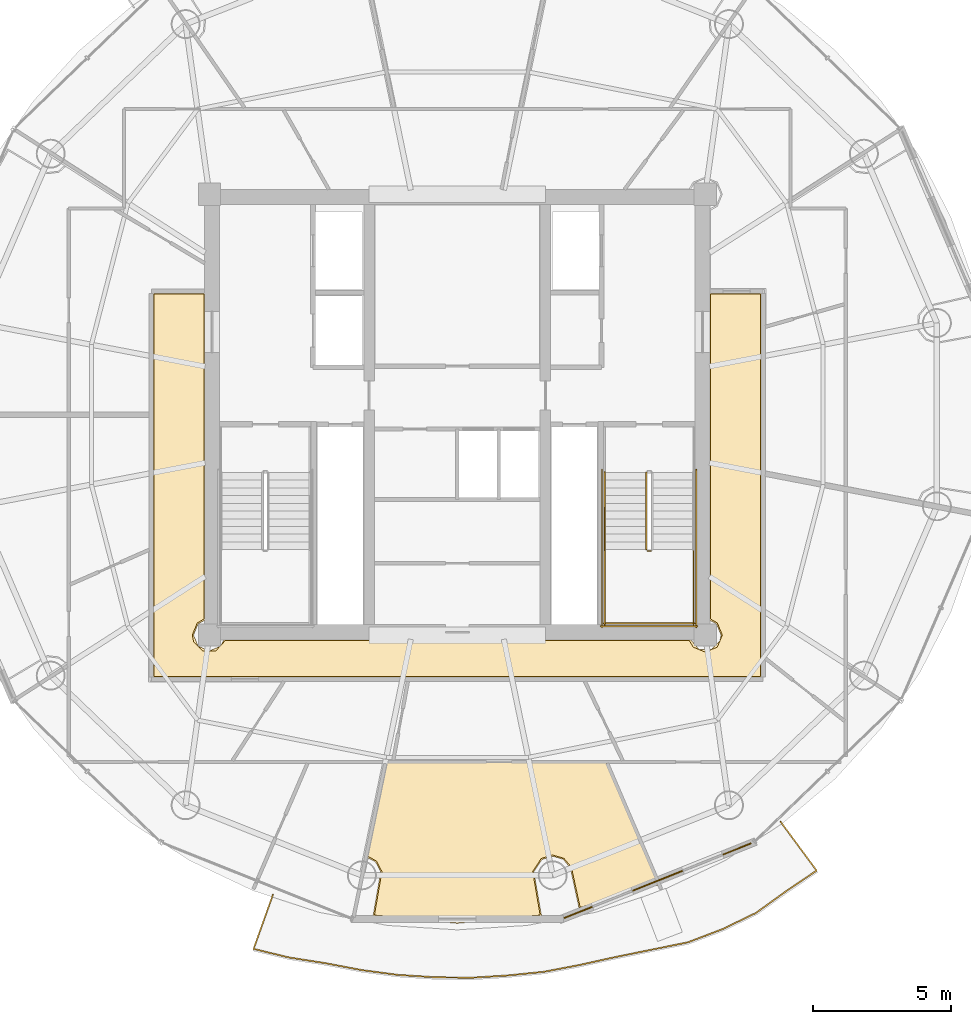
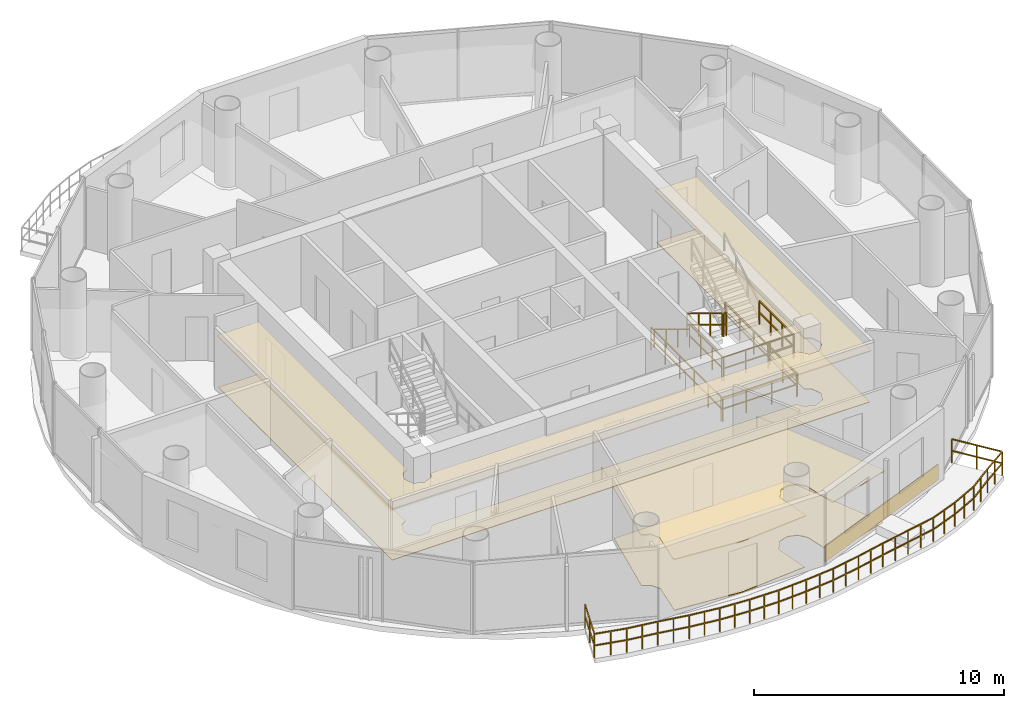
# One storey, part 22 of 24: 10 railings, 5 coverings.
"""IFC4 building model written with IfcOpenShell, lengths in metres."""

from ifc_helpers import new_model, si_unit, direction, frame, origin, origin_2d, place, context, subcontext, project, spatial, polyline, rectangle, outline, extrude, source, transform, mapped, material, layer, layer_set, type_object, element, save


model = new_model("IFC4")

# Units and contexts
model_context = context("Model", 3, precision=1e-05, world=origin(), true_north=direction((-0.2419218956, 0.970295726276)))
body_context = subcontext(model_context, "Body", "Model", "MODEL_VIEW")
ifc_project = project(units=[si_unit("LENGTHUNIT", "METRE"), si_unit("AREAUNIT", "SQUARE_METRE"), si_unit("VOLUMEUNIT", "CUBIC_METRE"), si_unit("PLANEANGLEUNIT", "RADIAN"), si_unit("MASSUNIT", "GRAM", prefix="KILO")], contexts=[model_context])

# Site, building, storey
site_placement = place(None, origin())
site = spatial("IfcSite", under=ifc_project, at=site_placement, CompositionType="ELEMENT")
building_placement = place(site_placement, origin())
building = spatial("IfcBuilding", under=site, at=building_placement, Name="Cobrevalo Terracotta Tower", CompositionType="ELEMENT")
storey_placement = place(building_placement, frame((0.0, 0.0, 293.199951171875)))
storey = spatial("IfcBuildingStorey", under=building, at=storey_placement, Name="L77", CompositionType="ELEMENT", Elevation=293.199951171875)

# Railing
ifc_material_1 = material(Name="Laminated structural glass and stainless steel", Category="steel")
railing_type_1 = type_object("IfcRailingType", Name="Balcony lobe structural glass & terracotta-cap balustrade 1180 mm", PredefinedType="BALUSTRADE", material=ifc_material_1)
railing_1_placement = place(storey_placement, frame((31.30859375, 9.37841796875, 0.0)))
element("IfcRailing", 1, at=railing_1_placement, inside=storey, type_object=railing_type_1, Name="L77 spiralling balcony lobe balustrade 2", PredefinedType="BALUSTRADE", context=body_context, shape_type="SweptSolid", body=[
    extrude(rectangle(XDim=0.048095703125, YDim=0.048095703125, at=origin_2d()), frame((0.0, 0.0, 1.15576171875), z_axis=(-0.336173826495, -0.941799956668, 0.0), x_axis=(0.941799956668, -0.336173826495, 0.0)), (0.0, 0.0, 1.0), 2.093017578125),
    extrude(rectangle(XDim=0.048095703125, YDim=0.048095703125, at=origin_2d()), frame((0.0, 0.0, 0.58984375), z_axis=(-0.336173826495, -0.941799956668, 0.0), x_axis=(0.941799956668, -0.336173826495, 0.0)), (0.0, 0.0, 1.0), 2.093017578125),
    extrude(rectangle(XDim=0.048095703125, YDim=0.048095703125, at=origin_2d()), frame((-0.70361328125, -1.97119140625, 1.15576171875), z_axis=(0.972052095111, -0.234765253798, 0.0), x_axis=(0.234765253798, 0.972052095111, 0.0)), (0.0, 0.0, 1.0), 1.33935546875),
    extrude(rectangle(XDim=0.048095703125, YDim=0.048095703125, at=origin_2d()), frame((-0.70361328125, -1.97119140625, 0.58984375), z_axis=(0.972052095111, -0.234765253798, 0.0), x_axis=(0.234765253798, 0.972052095111, 0.0)), (0.0, 0.0, 1.0), 1.33935546875),
    extrude(rectangle(XDim=0.048095703125, YDim=0.048095703125, at=origin_2d()), frame((0.598388671875, -2.28564453125, 1.15576171875), z_axis=(0.987963996549, -0.154684005389, 0.0), x_axis=(0.154684005389, 0.987963996549, 0.0)), (0.0, 0.0, 1.0), 1.333740234375),
    extrude(rectangle(XDim=0.048095703125, YDim=0.048095703125, at=origin_2d()), frame((0.598388671875, -2.28564453125, 0.58984375), z_axis=(0.987963996549, -0.154684005389, 0.0), x_axis=(0.154684005389, 0.987963996549, 0.0)), (0.0, 0.0, 1.0), 1.333740234375),
    extrude(rectangle(XDim=0.048095703125, YDim=0.048095703125, at=origin_2d()), frame((1.916015625, -2.491943359375, 1.15576171875), z_axis=(0.982404537805, -0.186765425336, 0.0), x_axis=(0.186765425336, 0.982404537805, 0.0)), (0.0, 0.0, 1.0), 1.326904296875),
    extrude(rectangle(XDim=0.048095703125, YDim=0.048095703125, at=origin_2d()), frame((1.916015625, -2.491943359375, 0.58984375), z_axis=(0.982404537805, -0.186765425336, 0.0), x_axis=(0.186765425336, 0.982404537805, 0.0)), (0.0, 0.0, 1.0), 1.326904296875),
    extrude(rectangle(XDim=0.048095703125, YDim=0.048095703125, at=origin_2d()), frame((3.219482421875, -2.73974609375, 1.15576171875), z_axis=(0.99126005454, -0.131922341831, 0.0), x_axis=(0.131922341831, 0.99126005454, 0.0)), (0.0, 0.0, 1.0), 1.324951171875),
    extrude(rectangle(XDim=0.048095703125, YDim=0.048095703125, at=origin_2d()), frame((3.219482421875, -2.73974609375, 0.58984375), z_axis=(0.99126005454, -0.131922341831, 0.0), x_axis=(0.131922341831, 0.99126005454, 0.0)), (0.0, 0.0, 1.0), 1.324951171875),
    extrude(rectangle(XDim=0.048095703125, YDim=0.048095703125, at=origin_2d()), frame((4.532958984375, -2.91455078125, 1.15576171875), z_axis=(0.997986945276, -0.063419689836, 0.0), x_axis=(0.063419689836, 0.997986945276, 0.0)), (0.0, 0.0, 1.0), 1.328125),
    extrude(rectangle(XDim=0.048095703125, YDim=0.048095703125, at=origin_2d()), frame((4.532958984375, -2.91455078125, 0.58984375), z_axis=(0.997986945276, -0.063419689836, 0.0), x_axis=(0.063419689836, 0.997986945276, 0.0)), (0.0, 0.0, 1.0), 1.328125),
    extrude(rectangle(XDim=0.048095703125, YDim=0.048095703125, at=origin_2d()), frame((5.8583984375, -2.998779296875, 1.15576171875), z_axis=(0.999880411048, -0.015464915214, 0.0), x_axis=(0.015464915214, 0.999880411048, 0.0)), (0.0, 0.0, 1.0), 1.326171875),
    extrude(rectangle(XDim=0.048095703125, YDim=0.048095703125, at=origin_2d()), frame((5.8583984375, -2.998779296875, 0.58984375), z_axis=(0.999880411048, -0.015464915214, 0.0), x_axis=(0.015464915214, 0.999880411048, 0.0)), (0.0, 0.0, 1.0), 1.326171875),
    extrude(rectangle(XDim=0.048095703125, YDim=0.048095703125, at=origin_2d()), frame((7.184326171875, -3.019287109375, 1.15576171875), z_axis=(0.998067571491, 0.062137933167, 0.0), x_axis=(-0.062137933167, 0.998067571491, 0.0)), (0.0, 0.0, 1.0), 1.328125),
    extrude(rectangle(XDim=0.048095703125, YDim=0.048095703125, at=origin_2d()), frame((7.184326171875, -3.019287109375, 0.58984375), z_axis=(0.998067571491, 0.062137933167, 0.0), x_axis=(-0.062137933167, 0.998067571491, 0.0)), (0.0, 0.0, 1.0), 1.328125),
    extrude(rectangle(XDim=0.048095703125, YDim=0.048095703125, at=origin_2d()), frame((8.509765625, -2.936767578125, 1.15576171875), z_axis=(0.994877315383, 0.101089699453, 0.0), x_axis=(-0.101089699453, 0.994877315383, 0.0)), (0.0, 0.0, 1.0), 1.325927734375),
    extrude(rectangle(XDim=0.048095703125, YDim=0.048095703125, at=origin_2d()), frame((8.509765625, -2.936767578125, 0.58984375), z_axis=(0.994877315383, 0.101089699453, 0.0), x_axis=(-0.101089699453, 0.994877315383, 0.0)), (0.0, 0.0, 1.0), 1.325927734375),
    extrude(rectangle(XDim=0.048095703125, YDim=0.048095703125, at=origin_2d()), frame((9.828857421875, -2.802734375, 1.15576171875), z_axis=(0.982336955947, 0.187120562689, 0.0), x_axis=(-0.187120562689, 0.982336955947, 0.0)), (0.0, 0.0, 1.0), 1.326904296875),
    extrude(rectangle(XDim=0.048095703125, YDim=0.048095703125, at=origin_2d()), frame((9.828857421875, -2.802734375, 0.58984375), z_axis=(0.982336955947, 0.187120562689, 0.0), x_axis=(-0.187120562689, 0.982336955947, 0.0)), (0.0, 0.0, 1.0), 1.326904296875),
    extrude(rectangle(XDim=0.048095703125, YDim=0.048095703125, at=origin_2d()), frame((11.13232421875, -2.554443359375, 1.15576171875), z_axis=(0.976316964884, 0.216345057904, 0.0), x_axis=(-0.216345057904, 0.976316964884, 0.0)), (0.0, 0.0, 1.0), 1.324951171875),
    extrude(rectangle(XDim=0.048095703125, YDim=0.048095703125, at=origin_2d()), frame((11.13232421875, -2.554443359375, 0.58984375), z_axis=(0.976316964884, 0.216345057904, 0.0), x_axis=(-0.216345057904, 0.976316964884, 0.0)), (0.0, 0.0, 1.0), 1.324951171875),
    extrude(rectangle(XDim=0.048095703125, YDim=0.048095703125, at=origin_2d()), frame((12.42578125, -2.267822265625, 1.15576171875), z_axis=(0.97989244332, 0.19952643816, 0.0), x_axis=(-0.19952643816, 0.97989244332, 0.0)), (0.0, 0.0, 1.0), 1.3349609375),
    extrude(rectangle(XDim=0.048095703125, YDim=0.048095703125, at=origin_2d()), frame((12.42578125, -2.267822265625, 0.58984375), z_axis=(0.97989244332, 0.19952643816, 0.0), x_axis=(-0.19952643816, 0.97989244332, 0.0)), (0.0, 0.0, 1.0), 1.3349609375),
    extrude(rectangle(XDim=0.048095703125, YDim=0.048095703125, at=origin_2d()), frame((13.73388671875, -2.00146484375, 1.15576171875), z_axis=(0.980078408179, 0.198610960981, 0.0), x_axis=(-0.198610960981, 0.980078408179, 0.0)), (0.0, 0.0, 1.0), 1.354736328125),
    extrude(rectangle(XDim=0.048095703125, YDim=0.048095703125, at=origin_2d()), frame((13.73388671875, -2.00146484375, 0.58984375), z_axis=(0.980078408179, 0.198610960981, 0.0), x_axis=(-0.198610960981, 0.980078408179, 0.0)), (0.0, 0.0, 1.0), 1.354736328125),
    extrude(rectangle(XDim=0.048095703125, YDim=0.048095703125, at=origin_2d()), frame((15.0615234375, -1.732421875, 1.15576171875), z_axis=(0.934332568531, 0.356402372862, 0.0), x_axis=(-0.356402372862, 0.934332568531, 0.0)), (0.0, 0.0, 1.0), 1.3466796875),
    extrude(rectangle(XDim=0.048095703125, YDim=0.048095703125, at=origin_2d()), frame((15.0615234375, -1.732421875, 0.58984375), z_axis=(0.934332568531, 0.356402372862, 0.0), x_axis=(-0.356402372862, 0.934332568531, 0.0)), (0.0, 0.0, 1.0), 1.3466796875),
    extrude(rectangle(XDim=0.048095703125, YDim=0.048095703125, at=origin_2d()), frame((16.31982421875, -1.25244140625, 1.15576171875), z_axis=(0.899900264996, 0.436095761342, 0.0), x_axis=(-0.436095761342, 0.899900264996, 0.0)), (0.0, 0.0, 1.0), 1.34814453125),
    extrude(rectangle(XDim=0.048095703125, YDim=0.048095703125, at=origin_2d()), frame((16.31982421875, -1.25244140625, 0.58984375), z_axis=(0.899900264996, 0.436095761342, 0.0), x_axis=(-0.436095761342, 0.899900264996, 0.0)), (0.0, 0.0, 1.0), 1.34814453125),
    extrude(rectangle(XDim=0.048095703125, YDim=0.048095703125, at=origin_2d()), frame((17.532958984375, -0.66455078125, 1.15576171875), z_axis=(0.811300392224, 0.584629518223, 0.0), x_axis=(-0.584629518223, 0.811300392224, 0.0)), (0.0, 0.0, 1.0), 1.346435546875),
    extrude(rectangle(XDim=0.048095703125, YDim=0.048095703125, at=origin_2d()), frame((17.532958984375, -0.66455078125, 0.58984375), z_axis=(0.811300392224, 0.584629518223, 0.0), x_axis=(-0.584629518223, 0.811300392224, 0.0)), (0.0, 0.0, 1.0), 1.346435546875),
    extrude(rectangle(XDim=0.048095703125, YDim=0.048095703125, at=origin_2d()), frame((18.625244140625, 0.12255859375, 1.15576171875), z_axis=(0.828358055631, 0.560199010773, 0.0), x_axis=(-0.560199010773, 0.828358055631, 0.0)), (0.0, 0.0, 1.0), 1.33935546875),
    extrude(rectangle(XDim=0.048095703125, YDim=0.048095703125, at=origin_2d()), frame((18.625244140625, 0.12255859375, 0.58984375), z_axis=(0.828358055631, 0.560199010773, 0.0), x_axis=(-0.560199010773, 0.828358055631, 0.0)), (0.0, 0.0, 1.0), 1.33935546875),
    extrude(rectangle(XDim=0.048095703125, YDim=0.048095703125, at=origin_2d()), frame((19.734619140625, 0.872802734375, 1.15576171875), z_axis=(-0.593826663906, 0.8045929985, 0.0), x_axis=(-0.8045929985, -0.593826663906, 0.0)), (0.0, 0.0, 1.0), 2.201904296875),
    extrude(rectangle(XDim=0.048095703125, YDim=0.048095703125, at=origin_2d()), frame((19.734619140625, 0.872802734375, 0.58984375), z_axis=(-0.593826663906, 0.8045929985, 0.0), x_axis=(-0.8045929985, -0.593826663906, 0.0)), (0.0, 0.0, 1.0), 2.201904296875),
    extrude(rectangle(XDim=0.0419921875, YDim=0.0419921875, at=origin_2d()), origin(), (0.0, 0.0, 1.0), 1.1318359375),
    extrude(rectangle(XDim=0.0419921875, YDim=0.0419921875, at=origin_2d()), frame((-0.351806640625, -0.985595703125, 0.0)), (0.0, 0.0, 1.0), 1.1318359375),
    extrude(rectangle(XDim=0.0419921875, YDim=0.0419921875, at=origin_2d()), frame((-0.70361328125, -1.97119140625, 0.0)), (0.0, 0.0, 1.0), 1.1318359375),
    extrude(rectangle(XDim=0.0419921875, YDim=0.0419921875, at=origin_2d()), frame((-0.052734375, -2.12841796875, 0.0)), (0.0, 0.0, 1.0), 1.1318359375),
    extrude(rectangle(XDim=0.0419921875, YDim=0.0419921875, at=origin_2d()), frame((0.598388671875, -2.28564453125, 0.0)), (0.0, 0.0, 1.0), 1.1318359375),
    extrude(rectangle(XDim=0.0419921875, YDim=0.0419921875, at=origin_2d()), frame((1.25732421875, -2.388671875, 0.0)), (0.0, 0.0, 1.0), 1.1318359375),
    extrude(rectangle(XDim=0.0419921875, YDim=0.0419921875, at=origin_2d()), frame((1.916015625, -2.491943359375, 0.0)), (0.0, 0.0, 1.0), 1.1318359375),
    extrude(rectangle(XDim=0.0419921875, YDim=0.0419921875, at=origin_2d()), frame((2.56787109375, -2.61572265625, 0.0)), (0.0, 0.0, 1.0), 1.1318359375),
    extrude(rectangle(XDim=0.0419921875, YDim=0.0419921875, at=origin_2d()), frame((3.219482421875, -2.73974609375, 0.0)), (0.0, 0.0, 1.0), 1.1318359375),
    extrude(rectangle(XDim=0.0419921875, YDim=0.0419921875, at=origin_2d()), frame((3.876220703125, -2.8271484375, 0.0)), (0.0, 0.0, 1.0), 1.1318359375),
    extrude(rectangle(XDim=0.0419921875, YDim=0.0419921875, at=origin_2d()), frame((4.532958984375, -2.91455078125, 0.0)), (0.0, 0.0, 1.0), 1.1318359375),
    extrude(rectangle(XDim=0.0419921875, YDim=0.0419921875, at=origin_2d()), frame((5.19580078125, -2.95654296875, 0.0)), (0.0, 0.0, 1.0), 1.1318359375),
    extrude(rectangle(XDim=0.0419921875, YDim=0.0419921875, at=origin_2d()), frame((5.8583984375, -2.998779296875, 0.0)), (0.0, 0.0, 1.0), 1.1318359375),
    extrude(rectangle(XDim=0.0419921875, YDim=0.0419921875, at=origin_2d()), frame((6.521484375, -3.009033203125, 0.0)), (0.0, 0.0, 1.0), 1.1318359375),
    extrude(rectangle(XDim=0.0419921875, YDim=0.0419921875, at=origin_2d()), frame((7.184326171875, -3.019287109375, 0.0)), (0.0, 0.0, 1.0), 1.1318359375),
    extrude(rectangle(XDim=0.0419921875, YDim=0.0419921875, at=origin_2d()), frame((7.84716796875, -2.97802734375, 0.0)), (0.0, 0.0, 1.0), 1.1318359375),
    extrude(rectangle(XDim=0.0419921875, YDim=0.0419921875, at=origin_2d()), frame((8.509765625, -2.936767578125, 0.0)), (0.0, 0.0, 1.0), 1.1318359375),
    extrude(rectangle(XDim=0.0419921875, YDim=0.0419921875, at=origin_2d()), frame((9.16943359375, -2.86962890625, 0.0)), (0.0, 0.0, 1.0), 1.1318359375),
    extrude(rectangle(XDim=0.0419921875, YDim=0.0419921875, at=origin_2d()), frame((9.828857421875, -2.802734375, 0.0)), (0.0, 0.0, 1.0), 1.1318359375),
    extrude(rectangle(XDim=0.0419921875, YDim=0.0419921875, at=origin_2d()), frame((10.48046875, -2.6787109375, 0.0)), (0.0, 0.0, 1.0), 1.1318359375),
    extrude(rectangle(XDim=0.0419921875, YDim=0.0419921875, at=origin_2d()), frame((11.13232421875, -2.554443359375, 0.0)), (0.0, 0.0, 1.0), 1.1318359375),
    extrude(rectangle(XDim=0.0419921875, YDim=0.0419921875, at=origin_2d()), frame((11.779052734375, -2.4111328125, 0.0)), (0.0, 0.0, 1.0), 1.1318359375),
    extrude(rectangle(XDim=0.0419921875, YDim=0.0419921875, at=origin_2d()), frame((12.42578125, -2.267822265625, 0.0)), (0.0, 0.0, 1.0), 1.1318359375),
    extrude(rectangle(XDim=0.0419921875, YDim=0.0419921875, at=origin_2d()), frame((13.079833984375, -2.134765625, 0.0)), (0.0, 0.0, 1.0), 1.1318359375),
    extrude(rectangle(XDim=0.0419921875, YDim=0.0419921875, at=origin_2d()), frame((13.73388671875, -2.00146484375, 0.0)), (0.0, 0.0, 1.0), 1.1318359375),
    extrude(rectangle(XDim=0.0419921875, YDim=0.0419921875, at=origin_2d()), frame((14.397705078125, -1.866943359375, 0.0)), (0.0, 0.0, 1.0), 1.1318359375),
    extrude(rectangle(XDim=0.0419921875, YDim=0.0419921875, at=origin_2d()), frame((15.0615234375, -1.732421875, 0.0)), (0.0, 0.0, 1.0), 1.1318359375),
    extrude(rectangle(XDim=0.0419921875, YDim=0.0419921875, at=origin_2d()), frame((15.690673828125, -1.492431640625, 0.0)), (0.0, 0.0, 1.0), 1.1318359375),
    extrude(rectangle(XDim=0.0419921875, YDim=0.0419921875, at=origin_2d()), frame((16.31982421875, -1.25244140625, 0.0)), (0.0, 0.0, 1.0), 1.1318359375),
    extrude(rectangle(XDim=0.0419921875, YDim=0.0419921875, at=origin_2d()), frame((16.92626953125, -0.95849609375, 0.0)), (0.0, 0.0, 1.0), 1.1318359375),
    extrude(rectangle(XDim=0.0419921875, YDim=0.0419921875, at=origin_2d()), frame((17.532958984375, -0.66455078125, 0.0)), (0.0, 0.0, 1.0), 1.1318359375),
    extrude(rectangle(XDim=0.0419921875, YDim=0.0419921875, at=origin_2d()), frame((18.0791015625, -0.27099609375, 0.0)), (0.0, 0.0, 1.0), 1.1318359375),
    extrude(rectangle(XDim=0.0419921875, YDim=0.0419921875, at=origin_2d()), frame((18.625244140625, 0.12255859375, 0.0)), (0.0, 0.0, 1.0), 1.1318359375),
    extrude(rectangle(XDim=0.0419921875, YDim=0.0419921875, at=origin_2d()), frame((19.179931640625, 0.49755859375, 0.0)), (0.0, 0.0, 1.0), 1.1318359375),
    extrude(rectangle(XDim=0.0419921875, YDim=0.0419921875, at=origin_2d()), frame((19.734619140625, 0.872802734375, 0.0)), (0.0, 0.0, 1.0), 1.1318359375),
    extrude(rectangle(XDim=0.0419921875, YDim=0.0419921875, at=origin_2d()), frame((19.080810546875, 1.7587890625, 0.0)), (0.0, 0.0, 1.0), 1.1318359375),
    extrude(rectangle(XDim=0.0419921875, YDim=0.0419921875, at=origin_2d()), frame((18.427001953125, 2.64453125, 0.0)), (0.0, 0.0, 1.0), 1.1318359375),
])

# Coverings
ifc_material_2 = material(Name="Engineered Brazilian hardwood flooring", Category="wood")
ifc_layer_1 = layer(ifc_material_2, 0.028076171875)
ifc_layer_set_1 = layer_set([ifc_layer_1], Name="Engineered Brazilian hardwood flooring")
covering_type_1 = type_object("IfcCoveringType", Name="Engineered Hardwood Suite Flooring 28", PredefinedType="FLOORING", material=ifc_layer_set_1)
covering_1_placement = place(storey_placement, origin())
element("IfcCovering", 2, at=covering_1_placement, inside=storey, type_object=covering_type_1, Name="Flat L77B Principal Guest Bedroom floor finish", PredefinedType="FLOORING", context=body_context, shape_type="SweptSolid", body=[
    extrude(outline(polyline([(42.45947265625, 8.9140625), (42.144287109375, 10.3662109375), (41.869140625, 10.6962890625), (41.45703125, 10.817626953125), (41.046875, 10.689697265625), (40.73583984375, 10.21630859375), (41.005859375, 8.635498046875), (38.0, 8.380126953125), (34.994140625, 8.635498046875), (35.26416015625, 10.21630859375), (35.064453125, 10.596923828125), (34.71728515625, 10.79296875), (35.4150390625, 14.175048828125), (43.4033203125, 14.175048828125), (45.294189453125, 9.77490234375), (42.45947265625, 8.9140625)])), origin(), (0.0, 0.0, 1.0), 0.030029296875),
])
ifc_material_3 = material(Name="Honed terracotta and granite tile", Category="masonry")
ifc_layer_2 = layer(ifc_material_3, 0.034912109375)
ifc_layer_set_2 = layer_set([ifc_layer_2], Name="Honed terracotta and granite tile")
covering_type_2 = type_object("IfcCoveringType", Name="Honed Terracotta & Granite Interior Flooring 35", PredefinedType="FLOORING", material=ifc_layer_set_2)
covering_2_placement = place(storey_placement, origin())
element("IfcCovering", 3, at=covering_2_placement, inside=storey, type_object=covering_type_2, Name="L77 Residential Floor Corridor floor finish", PredefinedType="FLOORING", context=body_context, shape_type="SweptSolid", body=[
    extrude(outline(polyline([(26.9951171875, 31.179931640625), (28.804931640625, 31.179931640625), (28.804931640625, 19.381591796875), (28.561279296875, 19.23876953125), (28.379638671875, 18.800048828125), (28.4267578125, 18.5625), (28.7626953125, 18.226806640625), (29.2373046875, 18.226806640625), (29.58154296875, 18.60498046875), (46.41845703125, 18.60498046875), (46.561279296875, 18.361328125), (47.0, 18.1796875), (47.438720703125, 18.361328125), (47.620361328125, 18.800048828125), (47.438720703125, 19.23876953125), (47.195068359375, 19.381591796875), (47.195068359375, 31.179931640625), (49.0048828125, 31.179931640625), (49.0048828125, 17.294921875), (26.9951171875, 17.294921875), (26.9951171875, 31.179931640625)])), origin(), (0.0, 0.0, 1.0), 0.030029296875),
])
ifc_material_4 = material(Name="Acoustic perforated gypsum ceiling", Category="gypsum")
ifc_layer_3 = layer(ifc_material_4, 0.050048828125)
ifc_layer_set_3 = layer_set([ifc_layer_3], Name="Acoustic perforated gypsum ceiling")
covering_type_3 = type_object("IfcCoveringType", Name="Perforated Acoustic Gypsum Ceiling 50", PredefinedType="CEILING", material=ifc_layer_set_3)
covering_3_placement = place(storey_placement, frame((0.0, 0.0, 2.5)))
element("IfcCovering", 4, at=covering_3_placement, inside=storey, type_object=covering_type_3, Name="L77 Residential Floor Corridor acoustic ceiling", PredefinedType="CEILING", context=body_context, shape_type="SweptSolid", body=[
    extrude(outline(polyline([(26.949951171875, 31.22509765625), (28.85009765625, 31.22509765625), (28.85009765625, 19.3447265625), (28.59375, 19.206298828125), (28.425537109375, 18.800048828125), (28.59375, 18.393798828125), (29.0, 18.2255859375), (29.40625, 18.393798828125), (29.544677734375, 18.64990234375), (46.455322265625, 18.64990234375), (46.780029296875, 18.269287109375), (47.219970703125, 18.269287109375), (47.53076171875, 18.580078125), (47.574462890625, 18.800048828125), (47.40625, 19.206298828125), (47.14990234375, 19.3447265625), (47.14990234375, 31.22509765625), (49.050048828125, 31.22509765625), (49.050048828125, 17.25), (26.949951171875, 17.25), (26.949951171875, 31.22509765625)])), origin(), (0.0, 0.0, 1.0), 0.050048828125),
])
covering_4_placement = place(storey_placement, frame((0.0, 0.0, 2.5)))
element("IfcCovering", 5, at=covering_4_placement, inside=storey, type_object=covering_type_3, Name="Flat L77B Principal Guest Bedroom acoustic ceiling", PredefinedType="CEILING", context=body_context, shape_type="SweptSolid", body=[
    extrude(outline(polyline([(42.424560546875, 8.861328125), (42.102783203125, 10.3486328125), (41.84423828125, 10.658447265625), (41.45751953125, 10.7724609375), (41.072265625, 10.65234375), (40.7802734375, 10.207763671875), (41.05908203125, 8.599853515625), (38.0, 8.3349609375), (34.94091796875, 8.599853515625), (35.2197265625, 10.207763671875), (35.0322265625, 10.565185546875), (34.6650390625, 10.76220703125), (35.37841796875, 14.219970703125), (43.43310546875, 14.219970703125), (45.35498046875, 9.747314453125), (42.424560546875, 8.861328125)])), origin(), (0.0, 0.0, 1.0), 0.050048828125),
])

# Railings
ifc_material_5 = material(Name="Brushed stainless steel", Category="steel")
railing_type_2 = type_object("IfcRailingType", Name="Stainless Steel Stair Handrail 900", PredefinedType="HANDRAIL", material=ifc_material_5)
railing_2_placement = place(storey_placement, frame((43.35498046875, 24.699951171875, 0.17041015625)))
element("IfcRailing", 6, at=railing_2_placement, inside=storey, type_object=railing_type_2, Name="L77 ST-2 stair handrail 1", PredefinedType="HANDRAIL", context=body_context, shape_type="SweptSolid", body=[
    extrude(rectangle(XDim=0.048095703125, YDim=0.048095703125, at=origin_2d()), frame((0.0, 0.0, 0.8759765625), z_axis=(0.0, -0.854169791009, 0.51999420009), x_axis=(1.0, 0.0, 0.0)), (0.0, 0.0, 1.0), 3.278076171875),
    extrude(rectangle(XDim=0.0419921875, YDim=0.0419921875, at=origin_2d()), origin(), (0.0, 0.0, 1.0), 0.851806640625),
    extrude(rectangle(XDim=0.0419921875, YDim=0.0419921875, at=origin_2d()), frame((0.0, -0.933349609375, 0.568115234375)), (0.0, 0.0, 1.0), 0.851806640625),
    extrude(rectangle(XDim=0.0419921875, YDim=0.0419921875, at=origin_2d()), frame((0.0, -1.86669921875, 1.136474609375)), (0.0, 0.0, 1.0), 0.851806640625),
    extrude(rectangle(XDim=0.0419921875, YDim=0.0419921875, at=origin_2d()), frame((0.0, -2.800048828125, 1.70458984375)), (0.0, 0.0, 1.0), 0.851806640625),
])
ifc_material_6 = material(Name="Painted galvanized steel", Category="steel")
railing_type_3 = type_object("IfcRailingType", Name="Stair Well Guard Balustrade 1150", PredefinedType="GUARDRAIL", material=ifc_material_6)
railing_3_placement = place(storey_placement, frame((44.85498046875, 24.699951171875, 0.17041015625)))
element("IfcRailing", 7, at=railing_3_placement, inside=storey, type_object=railing_type_3, Name="L77 ST-2 stair guard 1", PredefinedType="GUARDRAIL", context=body_context, shape_type="SweptSolid", body=[
    extrude(rectangle(XDim=0.048095703125, YDim=0.048095703125, at=origin_2d()), frame((0.0, 0.0, 1.1259765625), z_axis=(0.0, -0.854169791009, 0.51999420009), x_axis=(1.0, 0.0, 0.0)), (0.0, 0.0, 1.0), 3.278076171875),
    extrude(rectangle(XDim=0.048095703125, YDim=0.048095703125, at=origin_2d()), frame((0.0, 0.0, 0.574951171875), z_axis=(0.0, -0.854169791009, 0.51999420009), x_axis=(1.0, 0.0, 0.0)), (0.0, 0.0, 1.0), 3.278076171875),
    extrude(rectangle(XDim=0.0419921875, YDim=0.0419921875, at=origin_2d()), origin(), (0.0, 0.0, 1.0), 1.101806640625),
    extrude(rectangle(XDim=0.0419921875, YDim=0.0419921875, at=origin_2d()), frame((0.0, -0.933349609375, 0.568115234375)), (0.0, 0.0, 1.0), 1.101806640625),
    extrude(rectangle(XDim=0.0419921875, YDim=0.0419921875, at=origin_2d()), frame((0.0, -1.86669921875, 1.136474609375)), (0.0, 0.0, 1.0), 1.101806640625),
    extrude(rectangle(XDim=0.0419921875, YDim=0.0419921875, at=origin_2d()), frame((0.0, -2.800048828125, 1.70458984375)), (0.0, 0.0, 1.0), 1.101806640625),
])
railing_4_placement = place(storey_placement, frame((44.905029296875, 21.85009765625, 1.875)))
element("IfcRailing", 8, at=railing_4_placement, inside=storey, type_object=railing_type_3, Name="L77 ST-2 stair guard 2", PredefinedType="GUARDRAIL", context=body_context, shape_type="SweptSolid", body=[
    extrude(rectangle(XDim=0.048095703125, YDim=0.048095703125, at=origin_2d()), frame((0.0, 0.0, 1.1259765625), z_axis=(1.0, 0.0, 0.0), x_axis=(0.0, 1.0, 0.0)), (0.0, 0.0, 1.0), 0.119873046875),
    extrude(rectangle(XDim=0.048095703125, YDim=0.048095703125, at=origin_2d()), frame((0.0, 0.0, 0.574951171875), z_axis=(1.0, 0.0, 0.0), x_axis=(0.0, 1.0, 0.0)), (0.0, 0.0, 1.0), 0.119873046875),
    extrude(rectangle(XDim=0.0419921875, YDim=0.0419921875, at=origin_2d()), origin(), (0.0, 0.0, 1.0), 1.101806640625),
    extrude(rectangle(XDim=0.0419921875, YDim=0.0419921875, at=origin_2d()), frame((0.119873046875, 0.0, 0.0)), (0.0, 0.0, 1.0), 1.101806640625),
])
for number, where, name in (
    (9, (43.35498046875, 21.89990234375, 1.875), "L77 ST-2 stair guard 3"),
    (10, (46.574951171875, 21.89990234375, 1.875), "L77 ST-2 stair guard 4"),
):
    element("IfcRailing", number, at=place(storey_placement, frame(where)), inside=storey, type_object=railing_type_3, Name=name, PredefinedType="GUARDRAIL", context=body_context, shape_type="SweptSolid", body=[
        extrude(rectangle(XDim=0.048095703125, YDim=0.048095703125, at=origin_2d()), frame((0.0, 0.0, 1.1259765625), z_axis=(0.0, -1.0, 0.0), x_axis=(1.0, 0.0, 0.0)), (0.0, 0.0, 1.0), 2.724853515625),
        extrude(rectangle(XDim=0.048095703125, YDim=0.048095703125, at=origin_2d()), frame((0.0, 0.0, 0.574951171875), z_axis=(0.0, -1.0, 0.0), x_axis=(1.0, 0.0, 0.0)), (0.0, 0.0, 1.0), 2.724853515625),
        extrude(rectangle(XDim=0.0419921875, YDim=0.0419921875, at=origin_2d()), origin(), (0.0, 0.0, 1.0), 1.101806640625),
        extrude(rectangle(XDim=0.0419921875, YDim=0.0419921875, at=origin_2d()), frame((0.0, -0.908203125, 0.0)), (0.0, 0.0, 1.0), 1.101806640625),
        extrude(rectangle(XDim=0.0419921875, YDim=0.0419921875, at=origin_2d()), frame((0.0, -1.816650390625, 0.0)), (0.0, 0.0, 1.0), 1.101806640625),
        extrude(rectangle(XDim=0.0419921875, YDim=0.0419921875, at=origin_2d()), frame((0.0, -2.724853515625, 0.0)), (0.0, 0.0, 1.0), 1.101806640625),
    ])
railing_5_placement = place(storey_placement, frame((43.304931640625, 19.22509765625, 1.875)))
element("IfcRailing", 11, at=railing_5_placement, inside=storey, type_object=railing_type_3, Name="L77 ST-2 stair guard 5", PredefinedType="GUARDRAIL", context=body_context, shape_type="SweptSolid", body=[
    extrude(rectangle(XDim=0.048095703125, YDim=0.048095703125, at=origin_2d()), frame((0.0, 0.0, 1.1259765625), z_axis=(1.0, 0.0, 0.0), x_axis=(0.0, 1.0, 0.0)), (0.0, 0.0, 1.0), 3.320068359375),
    extrude(rectangle(XDim=0.048095703125, YDim=0.048095703125, at=origin_2d()), frame((0.0, 0.0, 0.574951171875), z_axis=(1.0, 0.0, 0.0), x_axis=(0.0, 1.0, 0.0)), (0.0, 0.0, 1.0), 3.320068359375),
    extrude(rectangle(XDim=0.0419921875, YDim=0.0419921875, at=origin_2d()), origin(), (0.0, 0.0, 1.0), 1.101806640625),
    extrude(rectangle(XDim=0.0419921875, YDim=0.0419921875, at=origin_2d()), frame((1.106689453125, 0.0, 0.0)), (0.0, 0.0, 1.0), 1.101806640625),
    extrude(rectangle(XDim=0.0419921875, YDim=0.0419921875, at=origin_2d()), frame((2.21337890625, 0.0, 0.0)), (0.0, 0.0, 1.0), 1.101806640625),
    extrude(rectangle(XDim=0.0419921875, YDim=0.0419921875, at=origin_2d()), frame((3.320068359375, 0.0, 0.0)), (0.0, 0.0, 1.0), 1.101806640625),
])
for number, where, name in (
    (12, (43.2548828125, 24.800048828125, 0.0), "L77 ST-2 stair guard 10"),
    (13, (46.675048828125, 24.800048828125, 0.0), "L77 ST-2 stair guard 11"),
):
    element("IfcRailing", number, at=place(storey_placement, frame(where)), inside=storey, type_object=railing_type_3, Name=name, PredefinedType="GUARDRAIL", context=body_context, shape_type="SweptSolid", body=[
        extrude(rectangle(XDim=0.048095703125, YDim=0.048095703125, at=origin_2d()), frame((0.0, 0.0, 1.1259765625), z_axis=(0.0, -1.0, 0.0), x_axis=(1.0, 0.0, 0.0)), (0.0, 0.0, 1.0), 5.72509765625),
        extrude(rectangle(XDim=0.048095703125, YDim=0.048095703125, at=origin_2d()), frame((0.0, 0.0, 0.574951171875), z_axis=(0.0, -1.0, 0.0), x_axis=(1.0, 0.0, 0.0)), (0.0, 0.0, 1.0), 5.72509765625),
        extrude(rectangle(XDim=0.0419921875, YDim=0.0419921875, at=origin_2d()), origin(), (0.0, 0.0, 1.0), 1.101806640625),
        extrude(rectangle(XDim=0.0419921875, YDim=0.0419921875, at=origin_2d()), frame((0.0, -1.14501953125, 0.0)), (0.0, 0.0, 1.0), 1.101806640625),
        extrude(rectangle(XDim=0.0419921875, YDim=0.0419921875, at=origin_2d()), frame((0.0, -2.2900390625, 0.0)), (0.0, 0.0, 1.0), 1.101806640625),
        extrude(rectangle(XDim=0.0419921875, YDim=0.0419921875, at=origin_2d()), frame((0.0, -3.43505859375, 0.0)), (0.0, 0.0, 1.0), 1.101806640625),
        extrude(rectangle(XDim=0.0419921875, YDim=0.0419921875, at=origin_2d()), frame((0.0, -4.580078125, 0.0)), (0.0, 0.0, 1.0), 1.101806640625),
        extrude(rectangle(XDim=0.0419921875, YDim=0.0419921875, at=origin_2d()), frame((0.0, -5.72509765625, 0.0)), (0.0, 0.0, 1.0), 1.101806640625),
    ])
railing_6_placement = place(storey_placement, frame((43.205078125, 19.125, 0.0)))
element("IfcRailing", 14, at=railing_6_placement, inside=storey, type_object=railing_type_3, Name="L77 ST-2 stair guard 12", PredefinedType="GUARDRAIL", context=body_context, shape_type="SweptSolid", body=[
    extrude(rectangle(XDim=0.048095703125, YDim=0.048095703125, at=origin_2d()), frame((0.0, 0.0, 1.1259765625), z_axis=(1.0, 0.0, 0.0), x_axis=(0.0, 1.0, 0.0)), (0.0, 0.0, 1.0), 3.52001953125),
    extrude(rectangle(XDim=0.048095703125, YDim=0.048095703125, at=origin_2d()), frame((0.0, 0.0, 0.574951171875), z_axis=(1.0, 0.0, 0.0), x_axis=(0.0, 1.0, 0.0)), (0.0, 0.0, 1.0), 3.52001953125),
    extrude(rectangle(XDim=0.0419921875, YDim=0.0419921875, at=origin_2d()), origin(), (0.0, 0.0, 1.0), 1.101806640625),
    extrude(rectangle(XDim=0.0419921875, YDim=0.0419921875, at=origin_2d()), frame((1.17333984375, 0.0, 0.0)), (0.0, 0.0, 1.0), 1.101806640625),
    extrude(rectangle(XDim=0.0419921875, YDim=0.0419921875, at=origin_2d()), frame((2.3466796875, 0.0, 0.0)), (0.0, 0.0, 1.0), 1.101806640625),
    extrude(rectangle(XDim=0.0419921875, YDim=0.0419921875, at=origin_2d()), frame((3.52001953125, 0.0, 0.0)), (0.0, 0.0, 1.0), 1.101806640625),
])

# Covering
ifc_material_7 = material(Name="Glazed terracotta facade cladding tile", Category="masonry")
ifc_layer_4 = layer(ifc_material_7, 0.044921875)
ifc_layer_set_4 = layer_set([ifc_layer_4], Name="Glazed terracotta facade cladding tile")
covering_type_4 = type_object("IfcCoveringType", Name="Architectural terracotta rainscreen spandrel cladding 45 mm", PredefinedType="CLADDING", material=ifc_layer_set_4)
shared_shape = source(origin(), body_context, "Body", "SweptSolid", [
    extrude(rectangle(XDim=7.318359375, YDim=0.044921875, at=origin_2d()), origin(), (0.0, 0.0, 1.0), 0.760009765625),
])
covering_5_placement = place(storey_placement, frame((45.270263671875, 9.882568359375, 0.0400390625), z_axis=(0.0, 0.0, 1.0), x_axis=(0.92871833374, 0.370785998353, 0.0)))
element("IfcCovering", 15, at=covering_5_placement, inside=storey, type_object=covering_type_4, Name="L77 terracotta spandrel cladding S13", PredefinedType="CLADDING", context=body_context, shape_type="MappedRepresentation", body=[
    mapped(shared_shape, transform((0.0, 0.0, 0.0), scale=1.0)),
])

save(model, "model.ifc")
